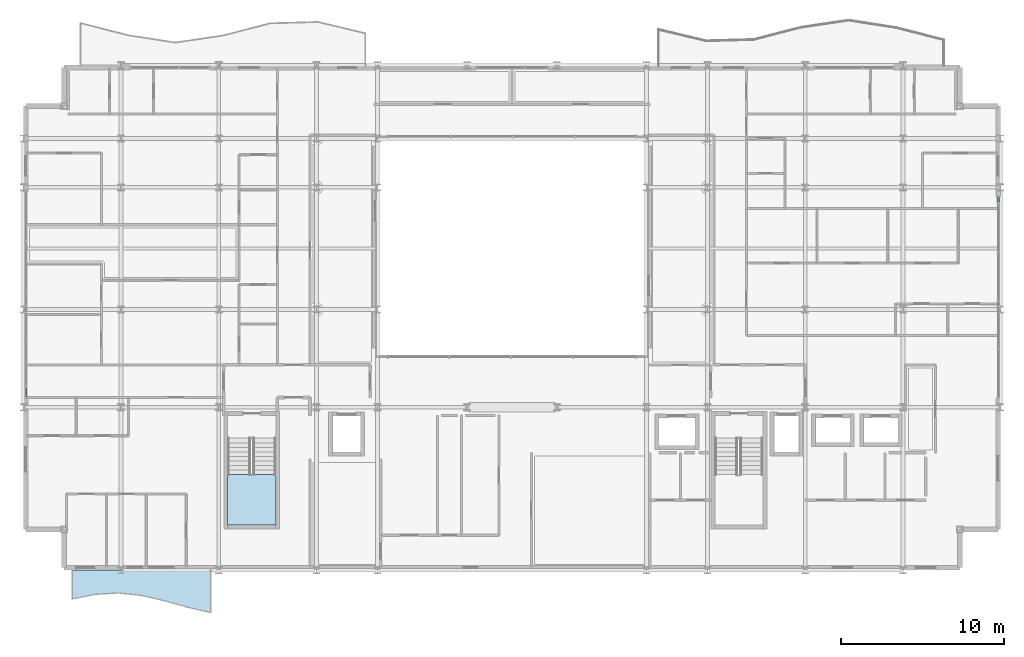
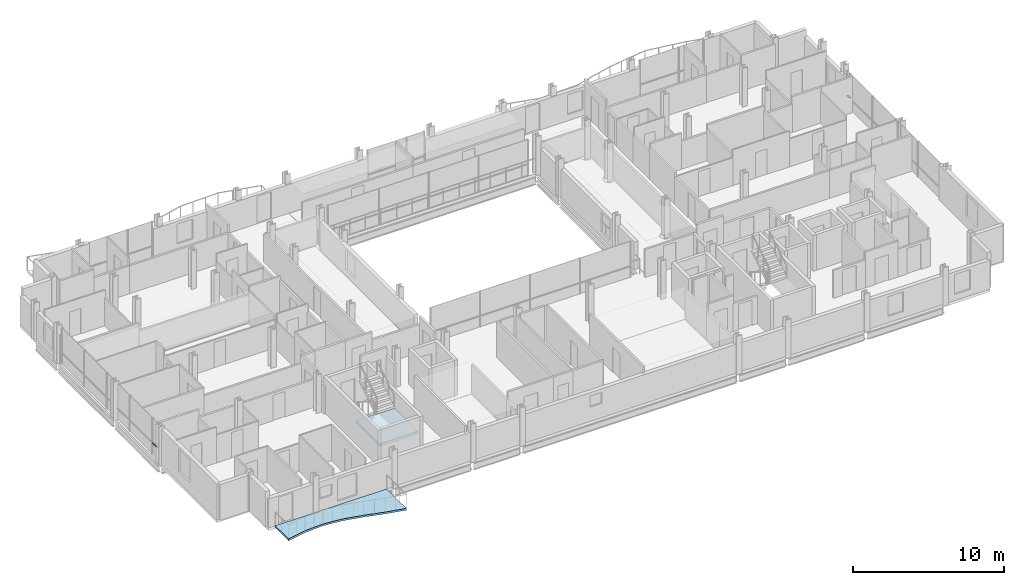
# One storey, part 27 of 41: 2 members, 2 slabs, 3 elements without a shape of their own.
"""IFC4 building model written with IfcOpenShell, lengths in metres."""

import ifcopenshell
import ifcopenshell.guid

model = None  # the IFC model being written
_history = None  # IfcOwnerHistory: only IFC2X3 demands one
_inside = {}  # id of a spatial element -> (the spatial element, [elements in it])
_under = {}  # id of a project, library or spatial element -> (it, [spatial elements below it])
_declared = {}  # id of a project -> (the project, [libraries it declares])
_typed = {}  # id of a type object -> (the type object, [elements of that type])
_made_of = {}  # id of a material, layer set ... -> (it, [elements and type objects made of it])


def new_model(schema):
    """Start an empty IFC model of exactly this schema.

    Asked for "IFC4X3", IfcOpenShell would pick the latest addendum, in which some entities
    have other attributes; the version numbers below select the first issue.
    IFC2X3 requires an IfcOwnerHistory on every rooted entity: one is made here for all.
    """
    global model, _history
    if schema == "IFC4X3":
        model = ifcopenshell.file(schema_version=(4, 3, 0, 0))
    else:
        model = ifcopenshell.file(schema=schema)
    _inside.clear()
    _under.clear()
    _declared.clear()
    _typed.clear()
    _made_of.clear()
    _history = None
    if model.schema == "IFC2X3":
        org = make("IfcOrganization", Name="unknown")
        user = make(
            "IfcPersonAndOrganization",
            ThePerson=make("IfcPerson", FamilyName="unknown"),
            TheOrganization=org,
        )
        app = make(
            "IfcApplication",
            ApplicationDeveloper=org,
            Version="unknown",
            ApplicationFullName="unknown",
            ApplicationIdentifier="unknown",
        )
        _history = make(
            "IfcOwnerHistory",
            OwningUser=user,
            OwningApplication=app,
            ChangeAction="ADDED",
            CreationDate=0,
        )
    return model


def make(cls, **values):
    """One entity of the class cls with the attributes given. An attribute that is None is left unset."""
    return model.create_entity(
        cls, **{name: value for name, value in values.items() if value is not None}
    )


def rooted(cls, **values):
    """An entity with a GlobalId (a new one), such as an element, a storey or a relation."""
    return make(cls, GlobalId=ifcopenshell.guid.new(), OwnerHistory=_history, **values)


def si_unit(unit_type, name, prefix=None):
    """IfcSIUnit, for example si_unit("LENGTHUNIT", "METRE", prefix="MILLI")."""
    return make("IfcSIUnit", UnitType=unit_type, Prefix=prefix, Name=name)


def assignment(units):
    """IfcUnitAssignment: the units of a project."""
    return None if units is None else make("IfcUnitAssignment", Units=units)


def point(xyz):
    """IfcCartesianPoint."""
    return None if xyz is None else make("IfcCartesianPoint", Coordinates=xyz)


def direction(xyz):
    """IfcDirection."""
    return None if xyz is None else make("IfcDirection", DirectionRatios=xyz)


def frame(location, z_axis=None, x_axis=None):
    """IfcAxis2Placement3D, a coordinate frame: its origin and axes. An axis left out is left unset."""
    return make(
        "IfcAxis2Placement3D",
        Location=point(location),
        Axis=direction(z_axis),
        RefDirection=direction(x_axis),
    )


def frame_2d(location, x_axis=None):
    """IfcAxis2Placement2D, a coordinate frame in the plane: its origin and x axis."""
    return make(
        "IfcAxis2Placement2D", Location=point(location), RefDirection=direction(x_axis)
    )


def origin():
    """The frame at (0, 0, 0) with its axes left unset."""
    return frame((0.0, 0.0, 0.0))


def origin_2d():
    """The frame at (0, 0) in the plane with its x axis left unset."""
    return frame_2d((0.0, 0.0))


def place(relative_to, where):
    """IfcLocalPlacement: puts the frame where relative to a parent placement (None: the world)."""
    return make(
        "IfcLocalPlacement", PlacementRelTo=relative_to, RelativePlacement=where
    )


def context(
    kind, dimensions, precision=None, world=None, true_north=None, identifier=None
):
    """IfcGeometricRepresentationContext, for example the 3D "Model" context."""
    return make(
        "IfcGeometricRepresentationContext",
        ContextIdentifier=identifier,
        ContextType=kind,
        CoordinateSpaceDimension=dimensions,
        Precision=precision,
        WorldCoordinateSystem=world,
        TrueNorth=true_north,
    )


def subcontext(parent, identifier, kind, view, scale=None):
    """IfcGeometricRepresentationSubContext, for example "Body" below "Model"."""
    return make(
        "IfcGeometricRepresentationSubContext",
        ContextIdentifier=identifier,
        ContextType=kind,
        ParentContext=parent,
        TargetScale=scale,
        TargetView=view,
    )


def project(units=None, contexts=None):
    """IfcProject with its units and contexts."""
    return rooted(
        "IfcProject",
        Name="project",
        RepresentationContexts=contexts,
        UnitsInContext=assignment(units),
    )


def spatial(cls, under=None, at=None, **own):
    """A site, building, storey or space (cls), placed at a placement, below another one or the project."""
    s = rooted(cls, ObjectPlacement=at, **own)
    if under is not None:
        _under.setdefault(under.id(), (under, []))[1].append(s)
    return s


def polyline(points):
    """IfcPolyline through the points."""
    return make("IfcPolyline", Points=[point(p) for p in points])


def profile(cls, at=None, kind="AREA", **sizes):
    """A parametric profile (cls). Its sizes go by their IFC names, for example OverallWidth=200.0."""
    return make(cls, ProfileType=kind, Position=at, **sizes)


def hollow_rectangle(**sizes):
    """IfcRectangleHollowProfileDef."""
    return profile("IfcRectangleHollowProfileDef", **sizes)


def outline(outer, holes=None, kind="AREA"):
    """IfcArbitraryClosedProfileDef: a profile drawn as a closed curve; with holes, ...WithVoids."""
    if holes is None:
        return make("IfcArbitraryClosedProfileDef", ProfileType=kind, OuterCurve=outer)
    return make(
        "IfcArbitraryProfileDefWithVoids",
        ProfileType=kind,
        OuterCurve=outer,
        InnerCurves=holes,
    )


def extrude(swept, where, along, depth):
    """IfcExtrudedAreaSolid: the profile swept, set in the frame where, extruded along a direction by depth."""
    return make(
        "IfcExtrudedAreaSolid",
        SweptArea=swept,
        Position=where,
        ExtrudedDirection=direction(along),
        Depth=depth,
    )


def shape(context_of_items, identifier, shape_type, items):
    """IfcShapeRepresentation: the items that make up one representation, for example the "Body"."""
    return make(
        "IfcShapeRepresentation",
        ContextOfItems=context_of_items,
        RepresentationIdentifier=identifier,
        RepresentationType=shape_type,
        Items=items,
    )


def material(Name=None, Category=None):
    """IfcMaterial."""
    return make("IfcMaterial", Name=Name, Category=Category)


def layer(
    of_material, thickness, ventilated=None, Name=None, Category=None, Priority=None
):
    """IfcMaterialLayer: one layer of a wall or slab, of a material (None: an air gap)."""
    return make(
        "IfcMaterialLayer",
        Material=of_material,
        LayerThickness=thickness,
        IsVentilated=ventilated,
        Name=Name,
        Category=Category,
        Priority=Priority,
    )


def layer_set(layers, Name=None):
    """IfcMaterialLayerSet."""
    return make("IfcMaterialLayerSet", MaterialLayers=layers, LayerSetName=Name)


def material_profile(
    of_material, cross_section, Name=None, Category=None, Priority=None
):
    """IfcMaterialProfile: a cross section and its material."""
    return make(
        "IfcMaterialProfile",
        Name=Name,
        Material=of_material,
        Profile=cross_section,
        Priority=Priority,
        Category=Category,
    )


def profile_set(profiles, Name=None, composite=None):
    """IfcMaterialProfileSet."""
    return make(
        "IfcMaterialProfileSet",
        Name=Name,
        MaterialProfiles=profiles,
        CompositeProfile=composite,
    )


def made_of(thing, what):
    """Note that an element or type object is made of a material, layer set ...; save() writes the relation."""
    if what is not None:
        _made_of.setdefault(what.id(), (what, []))[1].append(thing)
    return thing


def type_object(cls, material=None, **own):
    """A type object (cls), such as IfcWallType, which elements share."""
    return made_of(rooted(cls, **own), material)


def element(
    cls,
    number,
    at=None,
    inside=None,
    cuts=None,
    type_object=None,
    material=None,
    context=None,
    identifier="Body",
    shape_type=None,
    held_by="IfcProductDefinitionShape",
    body=None,
    shapes=None,
    **own,
):
    """One element of the class cls, such as IfcWall. Its Tag is "e" and its number.

    at: its placement. inside: the storey or other place that contains it. cuts: it is an
    opening in that element (IfcRelVoidsElement). A single representation is given by context,
    identifier, shape_type and body (its items); several are given by shapes. held_by: the class
    of the entity that holds the representations. save() writes the other relations.
    """
    e = rooted(cls, Tag="e%d" % number, ObjectPlacement=at, **own)
    if body is not None:
        shapes = [shape(context, identifier, shape_type, body)]
    if shapes is not None:
        e.Representation = make(held_by, Representations=shapes)
    if inside is not None:
        _inside.setdefault(inside.id(), (inside, []))[1].append(e)
    if cuts is not None:
        rooted(
            "IfcRelVoidsElement", RelatingBuildingElement=cuts, RelatedOpeningElement=e
        )
    if type_object is not None:
        _typed.setdefault(type_object.id(), (type_object, []))[1].append(e)
    return made_of(e, material)


def aggregate(whole, parts):
    """IfcRelAggregates: a whole, such as a stair, and the parts it consists of."""
    return rooted("IfcRelAggregates", RelatingObject=whole, RelatedObjects=parts)


def save(model, path):
    """Write the relations noted so far, then the file.

    IfcRelAggregates (storeys below a building ...), IfcRelContainedInSpatialStructure (elements
    in a storey), IfcRelDefinesByType, IfcRelAssociatesMaterial and IfcRelDeclares: one each for
    every whole, place, type object, material and project.
    """
    for whole, parts in _under.values():
        aggregate(whole, parts)
    for where, things in _inside.values():
        rooted(
            "IfcRelContainedInSpatialStructure",
            RelatedElements=things,
            RelatingStructure=where,
        )
    for kind, things in _typed.values():
        rooted("IfcRelDefinesByType", RelatedObjects=things, RelatingType=kind)
    for what, things in _made_of.values():
        rooted("IfcRelAssociatesMaterial", RelatedObjects=things, RelatingMaterial=what)
    for by, libraries in _declared.values():
        rooted("IfcRelDeclares", RelatingContext=by, RelatedDefinitions=libraries)
    model.write(path)


model = new_model("IFC4")

# Units and contexts
model_context = context("Model", 3, precision=1e-05, world=origin(), true_north=direction((0.0, 1.0)))
body_context = subcontext(model_context, "Body", "Model", "MODEL_VIEW")
ifc_project = project(units=[si_unit("LENGTHUNIT", "METRE"), si_unit("AREAUNIT", "SQUARE_METRE"), si_unit("VOLUMEUNIT", "CUBIC_METRE"), si_unit("PLANEANGLEUNIT", "RADIAN"), si_unit("MASSUNIT", "GRAM", prefix="KILO")], contexts=[model_context])

# Site, building, storey
site_placement = place(None, origin())
site = spatial("IfcSite", under=ifc_project, at=site_placement, CompositionType="ELEMENT")
building_placement = place(site_placement, origin())
building = spatial("IfcBuilding", under=site, at=building_placement, Name="Brevholm Reach", CompositionType="ELEMENT")
storey_placement = place(building_placement, frame((0.0, 0.0, 157.300048828125)))
storey = spatial("IfcBuildingStorey", under=building, at=storey_placement, Name="L47", CompositionType="ELEMENT", Elevation=157.300048828125)

# Curtain wall, member
ifc_material_1 = material(Name="Dark Anodised Aluminium 6063-T6 and Solar-Control Glass", Category="aluminium")
ifc_layer_1 = layer(ifc_material_1, 0.14990234375)
ifc_layer_set_1 = layer_set([ifc_layer_1], Name="Dark Anodised Aluminium 6063-T6 and Solar-Control Glass")
curtain_wall_type = type_object("IfcCurtainWallType", Name="CW-01", PredefinedType="NOTDEFINED", material=ifc_layer_set_1)
curtain_wall_1_placement = place(storey_placement, origin())
curtain_wall_1 = element("IfcCurtainWall", 1, at=curtain_wall_1_placement, inside=storey, type_object=curtain_wall_type, Name="L47 Curtain Wall CW-01", PredefinedType="NOTDEFINED")
ifc_material_2 = material(Name="Dark Anodised Aluminium 6063-T6", Category="aluminium")
ifc_material_profile = material_profile(ifc_material_2, hollow_rectangle(XDim=0.06494140625, YDim=0.14990234375, WallThickness=0.0048828125, InnerFilletRadius=0.0048828125, OuterFilletRadius=0.010009765625, at=origin_2d()), Name="RHS 150x65x5")
ifc_profile_set = profile_set([ifc_material_profile], Name="Dark Anodised Aluminium 6063-T6")
member_type = type_object("IfcMemberType", Name="CWT-150", PredefinedType="NOTDEFINED", material=ifc_profile_set)
member_1_placement = place(storey_placement, frame((0.14990234375, 11.1875, 0.89990234375), z_axis=(0.0, -1.0, 0.0), x_axis=(0.0, 0.0, 1.0)))
member_1 = element("IfcMember", 2, at=member_1_placement, type_object=member_type, Name="CT-150 Transom 5.1", ObjectType="TRANSOM", PredefinedType="USERDEFINED", context=body_context, shape_type="SweptSolid", body=[
    extrude(hollow_rectangle(XDim=0.06494140625, YDim=0.14990234375, WallThickness=0.0048828125, InnerFilletRadius=0.0048828125, OuterFilletRadius=0.010009765625, at=origin_2d()), origin(), (0.0, 0.0, 1.0), 0.572509765625),
])
aggregate(curtain_wall_1, [member_1])

curtain_wall_2_placement = place(storey_placement, origin())
curtain_wall_2 = element("IfcCurtainWall", 3, at=curtain_wall_2_placement, inside=storey, type_object=curtain_wall_type, Name="L47 Curtain Wall CW-01", PredefinedType="NOTDEFINED")
member_2_placement = place(storey_placement, frame((59.85009765625, 22.58251953125, 0.89990234375), z_axis=(0.0, 1.0, 0.0), x_axis=(0.0, 0.0, 1.0)))
member_2 = element("IfcMember", 4, at=member_2_placement, type_object=member_type, Name="CT-150 Transom 5.1", ObjectType="TRANSOM", PredefinedType="USERDEFINED", context=body_context, shape_type="SweptSolid", body=[
    extrude(hollow_rectangle(XDim=0.06494140625, YDim=0.14990234375, WallThickness=0.0048828125, InnerFilletRadius=0.0048828125, OuterFilletRadius=0.010009765625, at=origin_2d()), origin(), (0.0, 0.0, 1.0), 0.302490234375),
])
aggregate(curtain_wall_2, [member_2])

# Slab
ifc_material_3 = material(Name="Precast Concrete C45/55", Category="concrete")
ifc_layer_2 = layer(ifc_material_3, 0.14990234375)
ifc_layer_set_2 = layer_set([ifc_layer_2], Name="Precast Concrete C45/55")
slab_type_1 = type_object("IfcSlabType", Name="SLB-BAL-150", PredefinedType="FLOOR", material=ifc_layer_set_2)
slab_1_placement = place(storey_placement, frame((0.0, 0.0, -0.150146484375)))
element("IfcSlab", 5, at=slab_1_placement, inside=storey, type_object=slab_type_1, Name="L47 Rippling External Balcony SW", PredefinedType="FLOOR", context=body_context, shape_type="SweptSolid", body=[
    extrude(outline(polyline([(3.0, -1.7685546875), (4.416748046875, -1.484619140625), (5.833251953125, -1.402587890625), (7.25, -1.55029296875), (8.666748046875, -1.877685546875), (10.083251953125, -2.2724609375), (11.5, -2.599609375), (11.5, 0.0), (3.0, 0.0), (3.0, -1.7685546875)])), origin(), (0.0, 0.0, 1.0), 0.150146484375),
])

# Stair, slab
ifc_material_4 = material(Name="Precast Concrete C40/50", Category="concrete")
stair_type = type_object("IfcStairType", Name="STR-ESC-1400", PredefinedType="DOUBLE_RETURN_STAIR", material=ifc_material_4)
stair_placement = place(storey_placement, origin())
stair = element("IfcStair", 6, at=stair_placement, inside=storey, type_object=stair_type, Name="L47 ST-1", PredefinedType="DOUBLE_RETURN_STAIR")
ifc_material_5 = material(Name="Concrete C40/50", Category="concrete")
ifc_layer_3 = layer(ifc_material_5, 0.199951171875)
ifc_layer_set_3 = layer_set([ifc_layer_3], Name="Concrete C40/50")
slab_type_2 = type_object("IfcSlabType", Name="SLB-LND-200", PredefinedType="LANDING", material=ifc_layer_set_3)
slab_2_placement = place(storey_placement, frame((0.0, 0.0, 1.349853515625)))
slab_2 = element("IfcSlab", 7, at=slab_2_placement, type_object=slab_type_2, Name="ST-1 landing 1", PredefinedType="LANDING", context=body_context, shape_type="SweptSolid", body=[
    extrude(outline(polyline([(12.550048828125, 5.860107421875), (12.550048828125, 2.780029296875), (15.5, 2.780029296875), (15.5, 5.860107421875), (12.550048828125, 5.860107421875)])), origin(), (0.0, 0.0, 1.0), 0.2001953125),
])
aggregate(stair, [slab_2])

save(model, "model.ifc")
